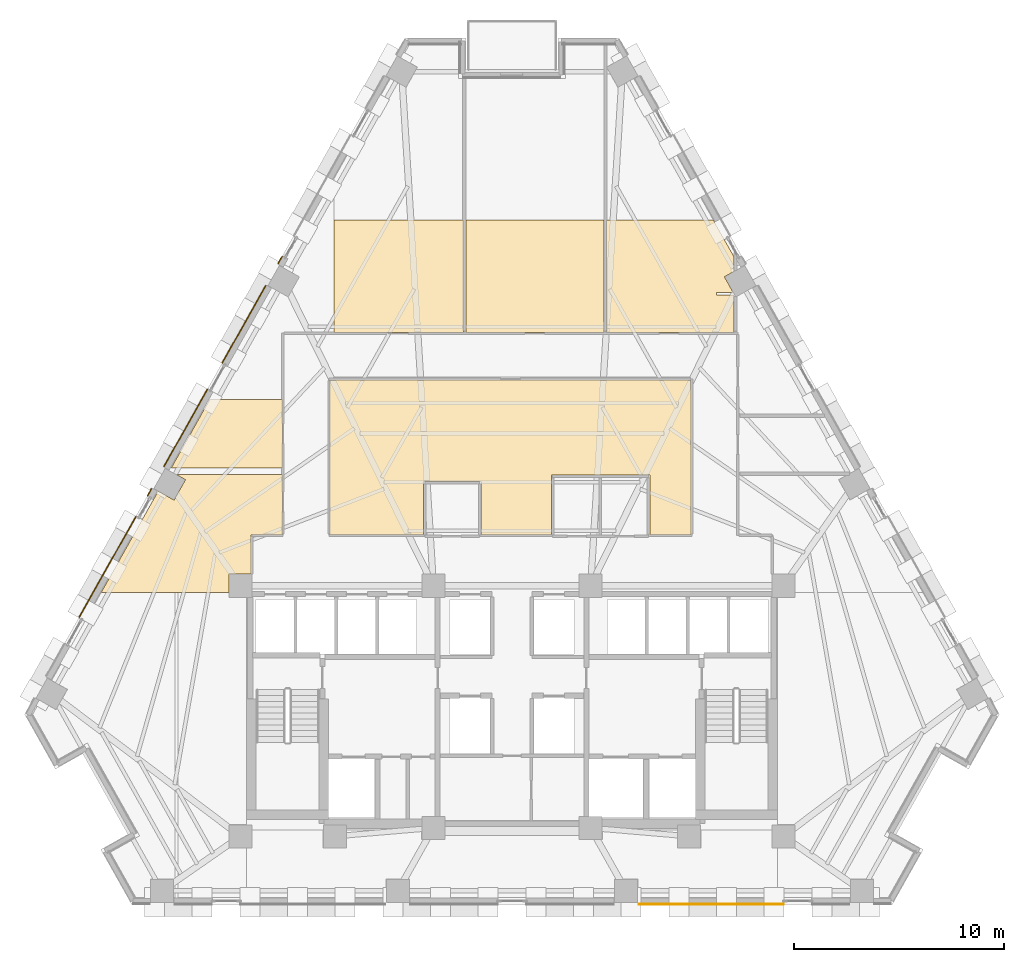
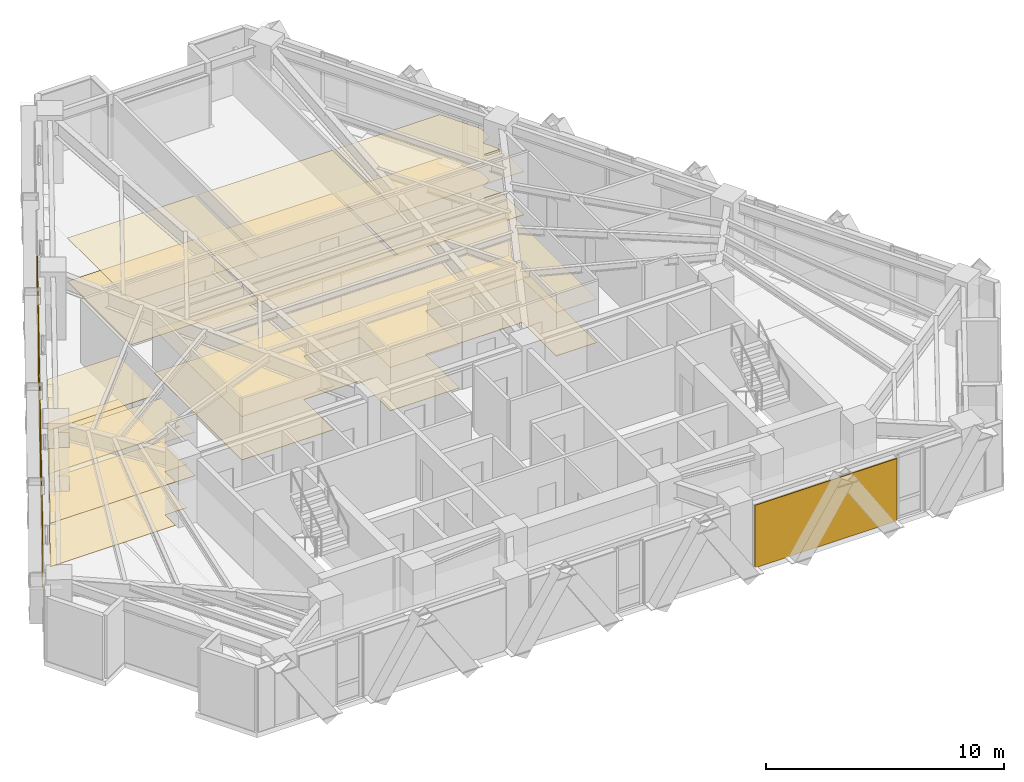
# One storey, part 11 of 13: 18 coverings.
"""IFC4 building model written with IfcOpenShell, lengths in metres."""

from ifc_helpers import new_model, si_unit, direction, frame, origin, place, context, subcontext, project, spatial, polyline, outline, extrude, material, layer, layer_set, type_object, element, save


model = new_model("IFC4")

# Units and contexts
model_context = context("Model", 3, precision=1e-05, world=origin(), true_north=direction((0.0, 1.0)))
body_context = subcontext(model_context, "Body", "Model", "MODEL_VIEW")
ifc_project = project(units=[si_unit("LENGTHUNIT", "METRE"), si_unit("AREAUNIT", "SQUARE_METRE"), si_unit("VOLUMEUNIT", "CUBIC_METRE"), si_unit("PLANEANGLEUNIT", "RADIAN"), si_unit("MASSUNIT", "GRAM", prefix="KILO")], contexts=[model_context])

# Site, building, storey
site_placement = place(None, origin())
site = spatial("IfcSite", under=ifc_project, at=site_placement, CompositionType="ELEMENT")
building_placement = place(site_placement, origin())
building = spatial("IfcBuilding", under=site, at=building_placement, Name="Quenlor Broadcast Tower", CompositionType="ELEMENT")
storey_placement = place(building_placement, frame((0.0, 0.0, 95.0)))
storey = spatial("IfcBuildingStorey", under=building, at=storey_placement, Name="L25", CompositionType="ELEMENT", Elevation=95.0)

# Coverings
ifc_material_1 = material(Name="Acoustic Mineral Fibre Board", Category="other")
ifc_layer_1 = layer(ifc_material_1, 0.02490234375)
ifc_layer_set_1 = layer_set([ifc_layer_1], Name="Acoustic Perforated Mineral Tile Ceiling 25")
covering_type_1 = type_object("IfcCoveringType", Name="Acoustic Perforated Mineral Tile Ceiling 25", PredefinedType="CEILING", material=ifc_layer_set_1)
covering_1_placement = place(storey_placement, frame((0.0, 0.0, 2.22509765625)))
element("IfcCovering", 1, at=covering_1_placement, inside=storey, type_object=covering_type_1, Name="L25 Acoustic Ceiling L25-31", PredefinedType="CEILING", context=body_context, shape_type="SweptSolid", body=[
    extrude(outline(polyline([(4.3798828125, 7.280029296875), (-2.199951171875, 7.280029296875), (-2.199951171875, 12.64990234375), (4.3798828125, 12.64990234375), (4.3798828125, 7.280029296875)])), origin(), (0.0, 0.0, 1.0), 0.02490234375),
])
covering_2_placement = place(storey_placement, frame((0.0, 0.0, 2.22509765625)))
element("IfcCovering", 2, at=covering_2_placement, inside=storey, type_object=covering_type_1, Name="L25 Acoustic Ceiling L25-32", PredefinedType="CEILING", context=body_context, shape_type="SweptSolid", body=[
    extrude(outline(polyline([(-2.320068359375, 7.280029296875), (-8.5, 7.280029296875), (-8.5, 12.64990234375), (-2.320068359375, 12.64990234375), (-2.320068359375, 7.280029296875)])), origin(), (0.0, 0.0, 1.0), 0.02490234375),
])
covering_3_placement = place(storey_placement, frame((0.0, 0.0, 2.22509765625)))
element("IfcCovering", 3, at=covering_3_placement, inside=storey, type_object=covering_type_1, Name="L25 Acoustic Ceiling L25-33", PredefinedType="CEILING", context=body_context, shape_type="SweptSolid", body=[
    extrude(outline(polyline([(10.580078125, 10.897705078125), (10.580078125, 10.187255859375), (10.126953125, 9.9326171875), (10.55029296875, 9.179931640625), (9.75, 9.179931640625), (9.75, 9.06005859375), (10.580078125, 9.06005859375), (10.580078125, 7.280029296875), (4.5, 7.280029296875), (4.5, 12.64990234375), (9.59423828125, 12.64990234375), (10.580078125, 10.897705078125)])), origin(), (0.0, 0.0, 1.0), 0.02490234375),
])
covering_4_placement = place(storey_placement, frame((0.0, 0.0, 2.22509765625)))
element("IfcCovering", 4, at=covering_4_placement, inside=storey, type_object=covering_type_1, Name="L25 Acoustic Ceiling L25-35", PredefinedType="CEILING", context=body_context, shape_type="SweptSolid", body=[
    extrude(outline(polyline([(-16.25439453125, 0.81005859375), (-14.4091796875, 4.090087890625), (-10.955078125, 4.090087890625), (-10.955078125, 0.81005859375), (-16.25439453125, 0.81005859375)])), origin(), (0.0, 0.0, 1.0), 0.02490234375),
])
covering_5_placement = place(storey_placement, frame((0.0, 0.0, 2.22509765625)))
element("IfcCovering", 5, at=covering_5_placement, inside=storey, type_object=covering_type_1, Name="L25 Acoustic Ceiling L25-37", PredefinedType="CEILING", context=body_context, shape_type="SweptSolid", body=[
    extrude(outline(polyline([(8.544921875, 5.02001953125), (8.544921875, -2.3701171875), (6.570068359375, -2.3701171875), (6.570068359375, 0.469970703125), (1.8798828125, 0.469970703125), (1.8798828125, -2.3701171875), (-1.47998046875, -2.3701171875), (-1.47998046875, 0.169921875), (-4.219970703125, 0.169921875), (-4.219970703125, -2.3701171875), (-8.695068359375, -2.3701171875), (-8.695068359375, 5.02001953125), (8.544921875, 5.02001953125)])), origin(), (0.0, 0.0, 1.0), 0.02490234375),
])
covering_6_placement = place(storey_placement, frame((0.0, 0.0, 2.22509765625)))
element("IfcCovering", 6, at=covering_6_placement, inside=storey, type_object=covering_type_1, Name="L25 Acoustic Ceiling L25-38", PredefinedType="CEILING", context=body_context, shape_type="SweptSolid", body=[
    extrude(outline(polyline([(-16.873779296875, -0.29150390625), (-16.1171875, -0.717041015625), (-15.5703125, 0.255615234375), (-16.004150390625, 0.499755859375), (-10.955078125, 0.499755859375), (-10.955078125, -2.3701171875), (-12.43994140625, -2.3701171875), (-12.43994140625, -4.241943359375), (-13.508056640625, -4.241943359375), (-13.508056640625, -5.1201171875), (-15.93994140625, -5.1201171875), (-16.06005859375, -5.1201171875), (-19.58984375, -5.1201171875), (-16.873779296875, -0.29150390625)])), origin(), (0.0, 0.0, 1.0), 0.02490234375),
])
ifc_material_2 = material(Name="Architectural Terracotta Ceramic", Category="masonry")
ifc_layer_2 = layer(ifc_material_2, 0.044921875)
ifc_layer_set_2 = layer_set([ifc_layer_2], Name="Fluted Terracotta Rainscreen Cladding Panel")
covering_type_2 = type_object("IfcCoveringType", Name="Fluted Terracotta Rainscreen Cladding Panel", PredefinedType="CLADDING", material=ifc_layer_set_2)
covering_7_placement = place(storey_placement, frame((0.0, 0.0, 0.02001953125)))
element("IfcCovering", 7, at=covering_7_placement, inside=storey, type_object=covering_type_2, Name="L25 Terracotta Rainscreen Cladding L25-SA-SP2", PredefinedType="CLADDING", context=body_context, shape_type="SweptSolid", body=[
    extrude(outline(polyline([(12.94873046875, -19.971923828125), (6.048095703125, -19.971923828125), (6.048095703125, -20.01708984375), (12.94873046875, -20.01708984375), (12.94873046875, -19.971923828125)])), origin(), (0.0, 0.0, 1.0), 3.2099609375),
])
covering_8_placement = place(storey_placement, frame((0.0, 0.0, 0.02001953125)))
element("IfcCovering", 8, at=covering_8_placement, inside=storey, type_object=covering_type_2, Name="L25 Terracotta Rainscreen Cladding L25-NWA-SP2", PredefinedType="CLADDING", context=body_context, shape_type="SweptSolid", body=[
    extrude(outline(polyline([(-20.62744140625, -6.328369140625), (-17.912841796875, -1.502197265625), (-17.951904296875, -1.47998046875), (-20.666748046875, -6.306396484375), (-20.62744140625, -6.328369140625)])), origin(), (0.0, 0.0, 1.0), 3.2099609375),
])
covering_9_placement = place(storey_placement, frame((0.0, 0.0, 0.02001953125)))
element("IfcCovering", 9, at=covering_9_placement, inside=storey, type_object=covering_type_2, Name="L25 Terracotta Rainscreen Cladding L25-NWA-SP3", PredefinedType="CLADDING", context=body_context, shape_type="SweptSolid", body=[
    extrude(outline(polyline([(-17.36474609375, -0.528076171875), (-17.168701171875, -0.179443359375), (-17.2080078125, -0.157470703125), (-17.404052734375, -0.506103515625), (-17.36474609375, -0.528076171875)])), origin(), (0.0, 0.0, 1.0), 3.2099609375),
])
covering_10_placement = place(storey_placement, frame((0.0, 0.0, 0.02001953125)))
element("IfcCovering", 10, at=covering_10_placement, inside=storey, type_object=covering_type_2, Name="L25 Terracotta Rainscreen Cladding L25-NWC-SP1", PredefinedType="CLADDING", context=body_context, shape_type="SweptSolid", body=[
    extrude(outline(polyline([(-11.13232421875, 10.552001953125), (-10.936279296875, 10.900634765625), (-10.9755859375, 10.922607421875), (-11.171630859375, 10.57421875), (-11.13232421875, 10.552001953125)])), origin(), (0.0, 0.0, 1.0), 3.2099609375),
])
covering_11_placement = place(storey_placement, frame((0.0, 0.0, 0.02001953125)))
element("IfcCovering", 11, at=covering_11_placement, inside=storey, type_object=covering_type_2, Name="L25 Terracotta Rainscreen Cladding L25-NW-SP1", PredefinedType="CLADDING", context=body_context, shape_type="SweptSolid", body=[
    extrude(outline(polyline([(-16.577880859375, 0.870849609375), (-14.499755859375, 4.565673828125), (-14.538818359375, 4.587646484375), (-16.6171875, 0.892822265625), (-16.577880859375, 0.870849609375)])), origin(), (0.0, 0.0, 1.0), 3.2099609375),
])
covering_12_placement = place(storey_placement, frame((0.0, 0.0, 0.02001953125)))
element("IfcCovering", 12, at=covering_12_placement, inside=storey, type_object=covering_type_2, Name="L25 Terracotta Rainscreen Cladding L25-NW-SP2", PredefinedType="CLADDING", context=body_context, shape_type="SweptSolid", body=[
    extrude(outline(polyline([(-13.801513671875, 5.806884765625), (-11.72314453125, 9.501708984375), (-11.76220703125, 9.523681640625), (-13.8408203125, 5.8291015625), (-13.801513671875, 5.806884765625)])), origin(), (0.0, 0.0, 1.0), 3.2099609375),
])
ifc_material_3 = material(Name="Terrazzo Stone Finish", Category="masonry")
ifc_layer_3 = layer(ifc_material_3, 0.02001953125)
ifc_layer_set_3 = layer_set([ifc_layer_3], Name="Polished Sandstone Terrazzo Flooring 20")
covering_type_3 = type_object("IfcCoveringType", Name="Polished Sandstone Terrazzo Flooring 20", PredefinedType="FLOORING", material=ifc_layer_set_3)
covering_13_placement = place(storey_placement, origin())
element("IfcCovering", 13, at=covering_13_placement, inside=storey, type_object=covering_type_3, Name="L25 Terrazzo Flooring L25-31", PredefinedType="FLOORING", context=body_context, shape_type="SweptSolid", body=[
    extrude(outline(polyline([(4.3798828125, 7.280029296875), (-2.199951171875, 7.280029296875), (-2.199951171875, 12.64990234375), (4.3798828125, 12.64990234375), (4.3798828125, 7.280029296875)])), origin(), (0.0, 0.0, 1.0), 0.02001953125),
])
covering_14_placement = place(storey_placement, origin())
element("IfcCovering", 14, at=covering_14_placement, inside=storey, type_object=covering_type_3, Name="L25 Terrazzo Flooring L25-32", PredefinedType="FLOORING", context=body_context, shape_type="SweptSolid", body=[
    extrude(outline(polyline([(-2.320068359375, 7.280029296875), (-8.5, 7.280029296875), (-8.5, 12.64990234375), (-2.320068359375, 12.64990234375), (-2.320068359375, 7.280029296875)])), origin(), (0.0, 0.0, 1.0), 0.02001953125),
])
covering_15_placement = place(storey_placement, origin())
element("IfcCovering", 15, at=covering_15_placement, inside=storey, type_object=covering_type_3, Name="L25 Terrazzo Flooring L25-33", PredefinedType="FLOORING", context=body_context, shape_type="SweptSolid", body=[
    extrude(outline(polyline([(10.580078125, 10.897705078125), (10.580078125, 10.187255859375), (10.126953125, 9.9326171875), (10.55029296875, 9.179931640625), (9.75, 9.179931640625), (9.75, 9.06005859375), (10.580078125, 9.06005859375), (10.580078125, 7.280029296875), (4.5, 7.280029296875), (4.5, 12.64990234375), (9.59423828125, 12.64990234375), (10.580078125, 10.897705078125)])), origin(), (0.0, 0.0, 1.0), 0.02001953125),
])
covering_16_placement = place(storey_placement, origin())
element("IfcCovering", 16, at=covering_16_placement, inside=storey, type_object=covering_type_3, Name="L25 Terrazzo Flooring L25-35", PredefinedType="FLOORING", context=body_context, shape_type="SweptSolid", body=[
    extrude(outline(polyline([(-16.25439453125, 0.81005859375), (-14.4091796875, 4.090087890625), (-10.955078125, 4.090087890625), (-10.955078125, 0.81005859375), (-16.25439453125, 0.81005859375)])), origin(), (0.0, 0.0, 1.0), 0.02001953125),
])
covering_17_placement = place(storey_placement, origin())
element("IfcCovering", 17, at=covering_17_placement, inside=storey, type_object=covering_type_3, Name="L25 Terrazzo Flooring L25-37", PredefinedType="FLOORING", context=body_context, shape_type="SweptSolid", body=[
    extrude(outline(polyline([(8.544921875, 5.02001953125), (8.544921875, -2.3701171875), (6.570068359375, -2.3701171875), (6.570068359375, 0.469970703125), (1.8798828125, 0.469970703125), (1.8798828125, -2.3701171875), (-1.47998046875, -2.3701171875), (-1.47998046875, 0.169921875), (-4.219970703125, 0.169921875), (-4.219970703125, -2.3701171875), (-8.695068359375, -2.3701171875), (-8.695068359375, 5.02001953125), (8.544921875, 5.02001953125)])), origin(), (0.0, 0.0, 1.0), 0.02001953125),
])
covering_18_placement = place(storey_placement, origin())
element("IfcCovering", 18, at=covering_18_placement, inside=storey, type_object=covering_type_3, Name="L25 Terrazzo Flooring L25-38", PredefinedType="FLOORING", context=body_context, shape_type="SweptSolid", body=[
    extrude(outline(polyline([(-16.873779296875, -0.29150390625), (-16.1171875, -0.717041015625), (-15.5703125, 0.255615234375), (-16.004150390625, 0.499755859375), (-10.955078125, 0.499755859375), (-10.955078125, -2.3701171875), (-12.43994140625, -2.3701171875), (-12.43994140625, -4.241943359375), (-13.508056640625, -4.241943359375), (-13.508056640625, -5.1201171875), (-15.93994140625, -5.1201171875), (-16.06005859375, -5.1201171875), (-19.58984375, -5.1201171875), (-16.873779296875, -0.29150390625)])), origin(), (0.0, 0.0, 1.0), 0.02001953125),
])

save(model, "model.ifc")
